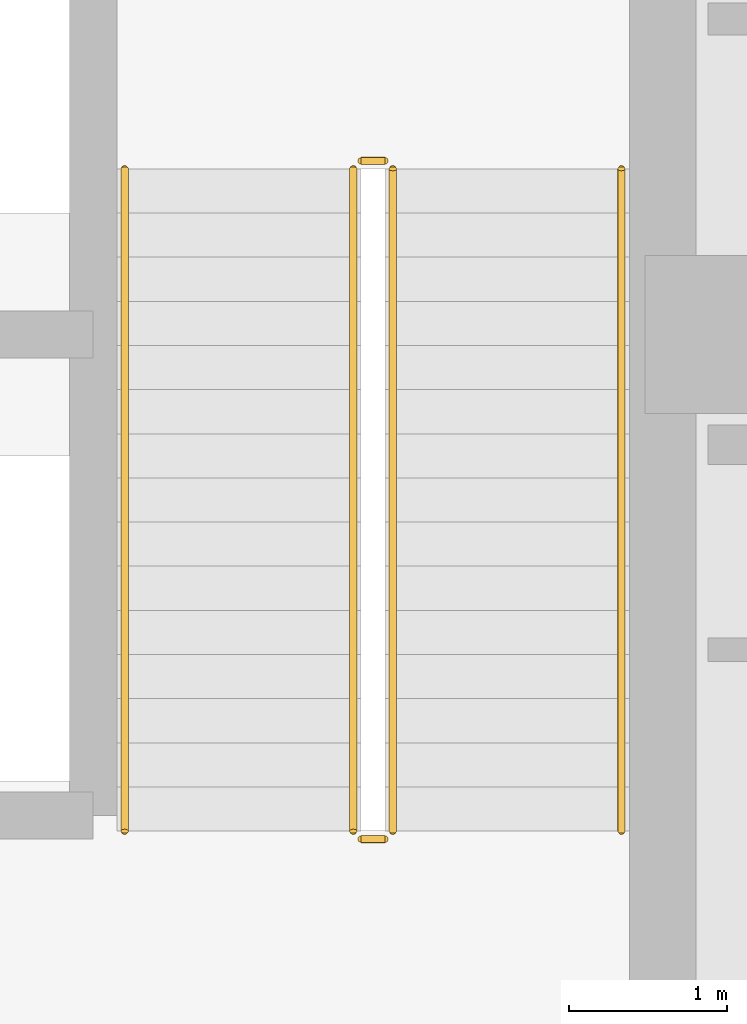
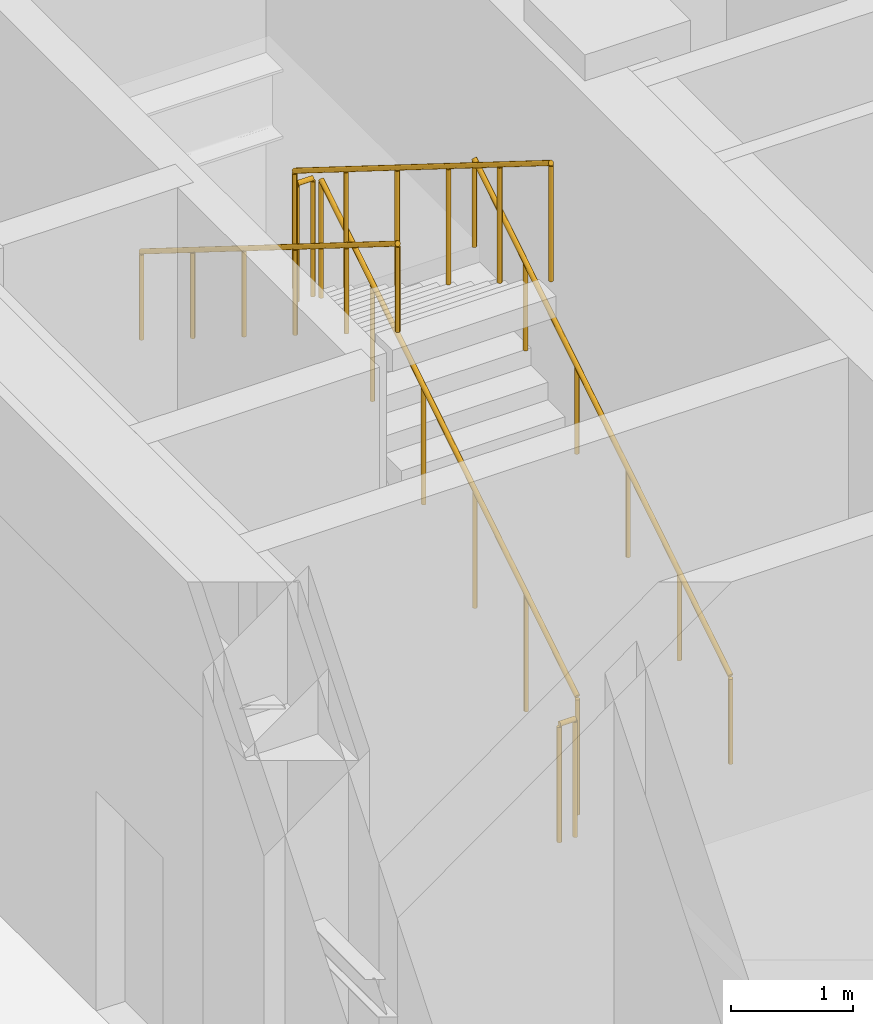
# One storey, part 19 of 21: 6 railings.
"""IFC4 building model written with IfcOpenShell, lengths in metres."""

from ifc_helpers import new_model, si_unit, direction, frame, origin, origin_2d, place, context, subcontext, project, spatial, circle, extrude, source, transform, mapped, material, type_object, element, save


model = new_model("IFC4")

# Units and contexts
model_context = context("Model", 3, precision=1e-05, world=origin(), true_north=direction((0.0, 1.0)))
body_context = subcontext(model_context, "Body", "Model", "MODEL_VIEW")
ifc_project = project(units=[si_unit("LENGTHUNIT", "METRE"), si_unit("AREAUNIT", "SQUARE_METRE"), si_unit("VOLUMEUNIT", "CUBIC_METRE"), si_unit("PLANEANGLEUNIT", "RADIAN"), si_unit("MASSUNIT", "GRAM", prefix="KILO")], contexts=[model_context])

# Site, building, storey
site_placement = place(None, origin())
site = spatial("IfcSite", under=ifc_project, at=site_placement, CompositionType="ELEMENT")
building_placement = place(site_placement, origin())
building = spatial("IfcBuilding", under=site, at=building_placement, Name="Khorayat Bourse Tower", CompositionType="ELEMENT")
storey_placement = place(building_placement, frame((0.0, 0.0, 27.0)))
storey = spatial("IfcBuildingStorey", under=building, at=storey_placement, Name="L05", CompositionType="ELEMENT", Elevation=27.0)

# Railings
ifc_material_1 = material(Name="Powder-coated steel balustrade", Category="steel")
railing_type_1 = type_object("IfcRailingType", Name="RLG-GUARD-1200", PredefinedType="GUARDRAIL", material=ifc_material_1)
shared_shape_1 = source(origin(), body_context, "Body", "SweptSolid", [
    extrude(circle(Radius=0.02392578125, at=origin_2d()), frame((0.0, 0.0, 1.17578125), z_axis=(-1.0, 0.0, 0.0), x_axis=(0.0, -1.0, 0.0)), (0.0, 0.0, 1.0), 0.150146484375),
    extrude(circle(Radius=0.02099609375, at=origin_2d()), origin(), (0.0, 0.0, 1.0), 1.15185546875),
    extrude(circle(Radius=0.02099609375, at=origin_2d()), frame((-0.150146484375, 0.0, 0.0)), (0.0, 0.0, 1.0), 1.15185546875),
])
for number, where, name in (
    (1, (-6.64990234375, 7.10009765625, 2.800048828125), "L05 ST-2 stair guard 2"),
    (2, (-6.64990234375, 2.800048828125, 0.0), "L05 ST-2 stair guard 4"),
):
    element("IfcRailing", number, at=place(storey_placement, frame(where)), inside=storey, type_object=railing_type_1, Name=name, PredefinedType="GUARDRAIL", context=body_context, shape_type="MappedRepresentation", body=[
        mapped(shared_shape_1, transform((0.0, 0.0, 0.0), scale=1.0)),
    ])
shared_shape_2 = source(origin(), body_context, "Body", "SweptSolid", [
    extrude(circle(Radius=0.02392578125, at=origin_2d()), frame((0.0, 0.0, 1.17578125), z_axis=(0.0, 0.847995534698, 0.530003370869), x_axis=(-1.0, 0.0, 0.0)), (0.0, 0.0, 1.0), 4.952880859375),
    extrude(circle(Radius=0.02099609375, at=origin_2d()), origin(), (0.0, 0.0, 1.0), 1.15185546875),
    extrude(circle(Radius=0.02099609375, at=origin_2d()), frame((0.0, 0.840087890625, 0.52490234375)), (0.0, 0.0, 1.0), 1.15185546875),
    extrude(circle(Radius=0.02099609375, at=origin_2d()), frame((0.0, 1.679931640625, 1.050048828125)), (0.0, 0.0, 1.0), 1.15185546875),
    extrude(circle(Radius=0.02099609375, at=origin_2d()), frame((0.0, 2.52001953125, 1.574951171875)), (0.0, 0.0, 1.0), 1.15185546875),
    extrude(circle(Radius=0.02099609375, at=origin_2d()), frame((0.0, 3.35986328125, 2.10009765625)), (0.0, 0.0, 1.0), 1.15185546875),
    extrude(circle(Radius=0.02099609375, at=origin_2d()), frame((0.0, 4.199951171875, 2.625)), (0.0, 0.0, 1.0), 1.15185546875),
])
railing_1_placement = place(storey_placement, frame((-6.60009765625, 2.85009765625, 0.175048828125)))
element("IfcRailing", 3, at=railing_1_placement, inside=storey, type_object=railing_type_1, Name="L05 ST-2 stair guard 1", PredefinedType="GUARDRAIL", context=body_context, shape_type="MappedRepresentation", body=[
    mapped(shared_shape_2, transform((0.0, 0.0, 0.0), scale=1.0)),
])
shared_shape_3 = source(origin(), body_context, "Body", "SweptSolid", [
    extrude(circle(Radius=0.02392578125, at=origin_2d()), frame((0.0, 0.0, 1.17578125), z_axis=(0.0, -0.847995534698, 0.530003370869), x_axis=(1.0, 0.0, 0.0)), (0.0, 0.0, 1.0), 4.952880859375),
    extrude(circle(Radius=0.02099609375, at=origin_2d()), origin(), (0.0, 0.0, 1.0), 1.15185546875),
    extrude(circle(Radius=0.02099609375, at=origin_2d()), frame((0.0, -0.840087890625, 0.52490234375)), (0.0, 0.0, 1.0), 1.15185546875),
    extrude(circle(Radius=0.02099609375, at=origin_2d()), frame((0.0, -1.679931640625, 1.050048828125)), (0.0, 0.0, 1.0), 1.15185546875),
    extrude(circle(Radius=0.02099609375, at=origin_2d()), frame((0.0, -2.52001953125, 1.574951171875)), (0.0, 0.0, 1.0), 1.15185546875),
    extrude(circle(Radius=0.02099609375, at=origin_2d()), frame((0.0, -3.35986328125, 2.10009765625)), (0.0, 0.0, 1.0), 1.15185546875),
    extrude(circle(Radius=0.02099609375, at=origin_2d()), frame((0.0, -4.199951171875, 2.625)), (0.0, 0.0, 1.0), 1.15185546875),
])
railing_2_placement = place(storey_placement, frame((-6.85009765625, 7.050048828125, 2.97509765625)))
element("IfcRailing", 4, at=railing_2_placement, inside=storey, type_object=railing_type_1, Name="L05 ST-2 stair guard 3", PredefinedType="GUARDRAIL", context=body_context, shape_type="MappedRepresentation", body=[
    mapped(shared_shape_3, transform((0.0, 0.0, 0.0), scale=1.0)),
])
ifc_material_2 = material(Name="Brushed bronze stainless-steel handrail", Category="steel")
railing_type_2 = type_object("IfcRailingType", Name="RLG-HAND-900", PredefinedType="HANDRAIL", material=ifc_material_2)
shared_shape_4 = source(origin(), body_context, "Body", "SweptSolid", [
    extrude(circle(Radius=0.02392578125, at=origin_2d()), frame((0.0, 0.0, 0.8759765625), z_axis=(0.0, 0.847995534698, 0.530003370869), x_axis=(-1.0, 0.0, 0.0)), (0.0, 0.0, 1.0), 4.952880859375),
    extrude(circle(Radius=0.02099609375, at=origin_2d()), origin(), (0.0, 0.0, 1.0), 0.851806640625),
    extrude(circle(Radius=0.02099609375, at=origin_2d()), frame((0.0, 0.840087890625, 0.52490234375)), (0.0, 0.0, 1.0), 0.851806640625),
    extrude(circle(Radius=0.02099609375, at=origin_2d()), frame((0.0, 1.679931640625, 1.050048828125)), (0.0, 0.0, 1.0), 0.851806640625),
    extrude(circle(Radius=0.02099609375, at=origin_2d()), frame((0.0, 2.52001953125, 1.574951171875)), (0.0, 0.0, 1.0), 0.851806640625),
    extrude(circle(Radius=0.02099609375, at=origin_2d()), frame((0.0, 3.35986328125, 2.10009765625)), (0.0, 0.0, 1.0), 0.851806640625),
    extrude(circle(Radius=0.02099609375, at=origin_2d()), frame((0.0, 4.199951171875, 2.625)), (0.0, 0.0, 1.0), 0.851806640625),
])
railing_3_placement = place(storey_placement, frame((-5.14990234375, 2.85009765625, 0.175048828125)))
element("IfcRailing", 5, at=railing_3_placement, inside=storey, type_object=railing_type_2, Name="L05 ST-2 stair handrail 1", PredefinedType="HANDRAIL", context=body_context, shape_type="MappedRepresentation", body=[
    mapped(shared_shape_4, transform((0.0, 0.0, 0.0), scale=1.0)),
])
shared_shape_5 = source(origin(), body_context, "Body", "SweptSolid", [
    extrude(circle(Radius=0.02392578125, at=origin_2d()), frame((0.0, 0.0, 0.8759765625), z_axis=(0.0, -0.847995534698, 0.530003370869), x_axis=(1.0, 0.0, 0.0)), (0.0, 0.0, 1.0), 4.952880859375),
    extrude(circle(Radius=0.02099609375, at=origin_2d()), origin(), (0.0, 0.0, 1.0), 0.851806640625),
    extrude(circle(Radius=0.02099609375, at=origin_2d()), frame((0.0, -0.840087890625, 0.52490234375)), (0.0, 0.0, 1.0), 0.851806640625),
    extrude(circle(Radius=0.02099609375, at=origin_2d()), frame((0.0, -1.679931640625, 1.050048828125)), (0.0, 0.0, 1.0), 0.851806640625),
    extrude(circle(Radius=0.02099609375, at=origin_2d()), frame((0.0, -2.52001953125, 1.574951171875)), (0.0, 0.0, 1.0), 0.851806640625),
    extrude(circle(Radius=0.02099609375, at=origin_2d()), frame((0.0, -3.35986328125, 2.10009765625)), (0.0, 0.0, 1.0), 0.851806640625),
    extrude(circle(Radius=0.02099609375, at=origin_2d()), frame((0.0, -4.199951171875, 2.625)), (0.0, 0.0, 1.0), 0.851806640625),
])
railing_4_placement = place(storey_placement, frame((-8.300048828125, 7.050048828125, 2.97509765625)))
element("IfcRailing", 6, at=railing_4_placement, inside=storey, type_object=railing_type_2, Name="L05 ST-2 stair handrail 2", PredefinedType="HANDRAIL", context=body_context, shape_type="MappedRepresentation", body=[
    mapped(shared_shape_5, transform((0.0, 0.0, 0.0), scale=1.0)),
])

save(model, "model.ifc")
